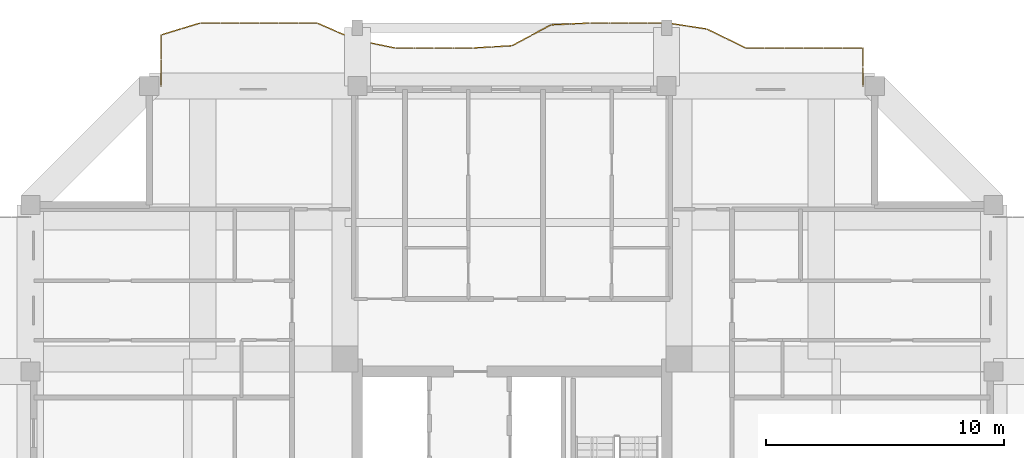
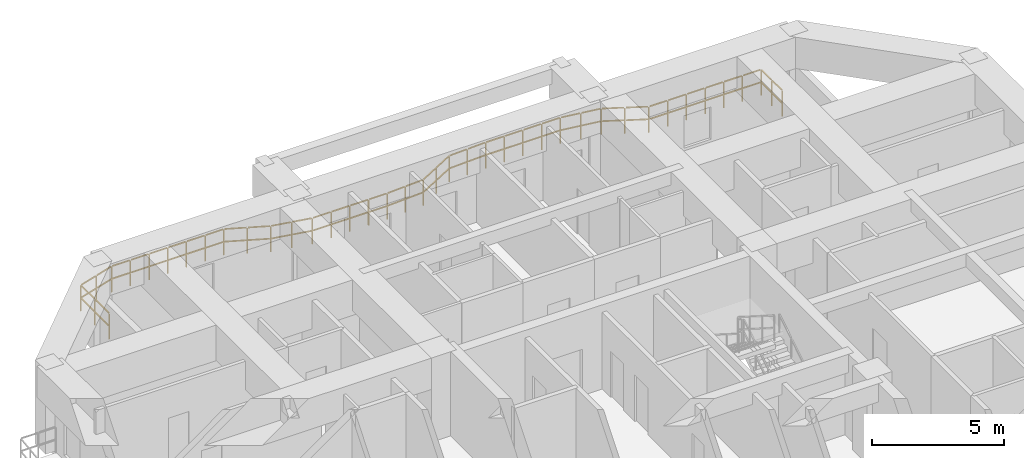
# One storey, part 13 of 13: 1 railing.
"""IFC4 building model written with IfcOpenShell, lengths in metres."""

from ifc_helpers import new_model, si_unit, direction, frame, origin, origin_2d, place, context, subcontext, project, spatial, rectangle, extrude, material, type_object, element, save


model = new_model("IFC4")

# Units and contexts
model_context = context("Model", 3, precision=1e-05, world=origin(), true_north=direction((0.0, 1.0)))
body_context = subcontext(model_context, "Body", "Model", "MODEL_VIEW")
ifc_project = project(units=[si_unit("LENGTHUNIT", "METRE"), si_unit("AREAUNIT", "SQUARE_METRE"), si_unit("VOLUMEUNIT", "CUBIC_METRE"), si_unit("PLANEANGLEUNIT", "RADIAN"), si_unit("MASSUNIT", "GRAM", prefix="KILO")], contexts=[model_context])

# Site, building, storey
site_placement = place(None, origin())
site = spatial("IfcSite", under=ifc_project, at=site_placement, CompositionType="ELEMENT")
building_placement = place(site_placement, origin())
building = spatial("IfcBuilding", under=site, at=building_placement, Name="Saelheon Loggia Tower", CompositionType="ELEMENT")
storey_placement = place(building_placement, frame((0.0, 0.0, 192.699951171875)))
storey = spatial("IfcBuildingStorey", under=building, at=storey_placement, Name="L60", CompositionType="ELEMENT", Elevation=192.699951171875)

# Railing
ifc_material = material(Name="Architectural Precast Concrete and Laminated Glass Guard", Category="concrete")
railing_type = type_object("IfcRailingType", Name="Guard_Loggia_RL_LOG", PredefinedType="BALUSTRADE", material=ifc_material)
railing_placement = place(storey_placement, frame((52.75, 48.0, 0.0)))
element("IfcRailing", 1, at=railing_placement, inside=storey, type_object=railing_type, Name="L60 North Loggia Balustrade", PredefinedType="BALUSTRADE", context=body_context, shape_type="SweptSolid", body=[
    extrude(rectangle(XDim=0.048095703125, YDim=0.048095703125, at=origin_2d()), frame((0.0, 0.033203125, 1.19580078125), z_axis=(0.0, 1.0, 0.0), x_axis=(-1.0, 0.0, 0.0)), (0.0, 0.0, 1.0), 0.733642578125),
    extrude(rectangle(XDim=0.048095703125, YDim=0.048095703125, at=origin_2d()), frame((0.0, 0.033203125, 0.60986328125), z_axis=(0.0, 1.0, 0.0), x_axis=(-1.0, 0.0, 0.0)), (0.0, 0.0, 1.0), 0.733642578125),
    extrude(rectangle(XDim=0.048095703125, YDim=0.048095703125, at=origin_2d()), frame((0.0, 0.833251953125, 1.19580078125), z_axis=(0.0, 1.0, 0.0), x_axis=(-1.0, 0.0, 0.0)), (0.0, 0.0, 1.0), 0.733642578125),
    extrude(rectangle(XDim=0.048095703125, YDim=0.048095703125, at=origin_2d()), frame((0.0, 0.833251953125, 0.60986328125), z_axis=(0.0, 1.0, 0.0), x_axis=(-1.0, 0.0, 0.0)), (0.0, 0.0, 1.0), 0.733642578125),
    extrude(rectangle(XDim=0.048095703125, YDim=0.048095703125, at=origin_2d()), frame((-0.033203125, 1.60009765625, 1.19580078125), z_axis=(-1.0, 0.0, 0.0), x_axis=(0.0, -1.0, 0.0)), (0.0, 0.0, 1.0), 0.7529296875),
    extrude(rectangle(XDim=0.048095703125, YDim=0.048095703125, at=origin_2d()), frame((-0.033203125, 1.60009765625, 0.60986328125), z_axis=(-1.0, 0.0, 0.0), x_axis=(0.0, -1.0, 0.0)), (0.0, 0.0, 1.0), 0.7529296875),
    extrude(rectangle(XDim=0.048095703125, YDim=0.048095703125, at=origin_2d()), frame((-0.852783203125, 1.60009765625, 1.19580078125), z_axis=(-1.0, 0.0, 0.0), x_axis=(0.0, -1.0, 0.0)), (0.0, 0.0, 1.0), 0.7529296875),
    extrude(rectangle(XDim=0.048095703125, YDim=0.048095703125, at=origin_2d()), frame((-0.852783203125, 1.60009765625, 0.60986328125), z_axis=(-1.0, 0.0, 0.0), x_axis=(0.0, -1.0, 0.0)), (0.0, 0.0, 1.0), 0.7529296875),
    extrude(rectangle(XDim=0.048095703125, YDim=0.048095703125, at=origin_2d()), frame((-1.672119140625, 1.60009765625, 1.19580078125), z_axis=(-1.0, 0.0, 0.0), x_axis=(0.0, -1.0, 0.0)), (0.0, 0.0, 1.0), 0.7529296875),
    extrude(rectangle(XDim=0.048095703125, YDim=0.048095703125, at=origin_2d()), frame((-1.672119140625, 1.60009765625, 0.60986328125), z_axis=(-1.0, 0.0, 0.0), x_axis=(0.0, -1.0, 0.0)), (0.0, 0.0, 1.0), 0.7529296875),
    extrude(rectangle(XDim=0.048095703125, YDim=0.048095703125, at=origin_2d()), frame((-2.49169921875, 1.60009765625, 1.19580078125), z_axis=(-1.0, 0.0, 0.0), x_axis=(0.0, -1.0, 0.0)), (0.0, 0.0, 1.0), 0.7529296875),
    extrude(rectangle(XDim=0.048095703125, YDim=0.048095703125, at=origin_2d()), frame((-2.49169921875, 1.60009765625, 0.60986328125), z_axis=(-1.0, 0.0, 0.0), x_axis=(0.0, -1.0, 0.0)), (0.0, 0.0, 1.0), 0.7529296875),
    extrude(rectangle(XDim=0.048095703125, YDim=0.048095703125, at=origin_2d()), frame((-3.31103515625, 1.60009765625, 1.19580078125), z_axis=(-1.0, 0.0, 0.0), x_axis=(0.0, -1.0, 0.0)), (0.0, 0.0, 1.0), 0.7529296875),
    extrude(rectangle(XDim=0.048095703125, YDim=0.048095703125, at=origin_2d()), frame((-3.31103515625, 1.60009765625, 0.60986328125), z_axis=(-1.0, 0.0, 0.0), x_axis=(0.0, -1.0, 0.0)), (0.0, 0.0, 1.0), 0.7529296875),
    extrude(rectangle(XDim=0.048095703125, YDim=0.048095703125, at=origin_2d()), frame((-4.130615234375, 1.60009765625, 1.19580078125), z_axis=(-1.0, 0.0, 0.0), x_axis=(0.0, -1.0, 0.0)), (0.0, 0.0, 1.0), 0.7529296875),
    extrude(rectangle(XDim=0.048095703125, YDim=0.048095703125, at=origin_2d()), frame((-4.130615234375, 1.60009765625, 0.60986328125), z_axis=(-1.0, 0.0, 0.0), x_axis=(0.0, -1.0, 0.0)), (0.0, 0.0, 1.0), 0.7529296875),
    extrude(rectangle(XDim=0.048095703125, YDim=0.048095703125, at=origin_2d()), frame((-4.946533203125, 1.614501953125, 1.19580078125), z_axis=(-0.899487094087, 0.436947328142, 0.0), x_axis=(-0.436947328142, -0.899487094087, 0.0)), (0.0, 0.0, 1.0), 0.844482421875),
    extrude(rectangle(XDim=0.048095703125, YDim=0.048095703125, at=origin_2d()), frame((-4.946533203125, 1.614501953125, 0.60986328125), z_axis=(-0.899487094087, 0.436947328142, 0.0), x_axis=(-0.436947328142, -0.899487094087, 0.0)), (0.0, 0.0, 1.0), 0.844482421875),
    extrude(rectangle(XDim=0.048095703125, YDim=0.048095703125, at=origin_2d()), frame((-5.76611328125, 2.0126953125, 1.19580078125), z_axis=(-0.899487094087, 0.436947328142, 0.0), x_axis=(-0.436947328142, -0.899487094087, 0.0)), (0.0, 0.0, 1.0), 0.844482421875),
    extrude(rectangle(XDim=0.048095703125, YDim=0.048095703125, at=origin_2d()), frame((-5.76611328125, 2.0126953125, 0.60986328125), z_axis=(-0.899487094087, 0.436947328142, 0.0), x_axis=(-0.436947328142, -0.899487094087, 0.0)), (0.0, 0.0, 1.0), 0.844482421875),
    extrude(rectangle(XDim=0.048095703125, YDim=0.048095703125, at=origin_2d()), frame((-6.588623046875, 2.4013671875, 1.19580078125), z_axis=(-0.988229995163, 0.152975411945, 0.0), x_axis=(-0.152975411945, -0.988229995163, 0.0)), (0.0, 0.0, 1.0), 0.7626953125),
    extrude(rectangle(XDim=0.048095703125, YDim=0.048095703125, at=origin_2d()), frame((-6.588623046875, 2.4013671875, 0.60986328125), z_axis=(-0.988229995163, 0.152975411945, 0.0), x_axis=(-0.152975411945, -0.988229995163, 0.0)), (0.0, 0.0, 1.0), 0.7626953125),
    extrude(rectangle(XDim=0.048095703125, YDim=0.048095703125, at=origin_2d()), frame((-7.407958984375, 2.528076171875, 1.19580078125), z_axis=(-0.988229995163, 0.152975411945, 0.0), x_axis=(-0.152975411945, -0.988229995163, 0.0)), (0.0, 0.0, 1.0), 0.7626953125),
    extrude(rectangle(XDim=0.048095703125, YDim=0.048095703125, at=origin_2d()), frame((-7.407958984375, 2.528076171875, 0.60986328125), z_axis=(-0.988229995163, 0.152975411945, 0.0), x_axis=(-0.152975411945, -0.988229995163, 0.0)), (0.0, 0.0, 1.0), 0.7626953125),
    extrude(rectangle(XDim=0.048095703125, YDim=0.048095703125, at=origin_2d()), frame((-8.2275390625, 2.64990234375, 1.19580078125), z_axis=(-1.0, 0.0, 0.0), x_axis=(0.0, -1.0, 0.0)), (0.0, 0.0, 1.0), 0.7529296875),
    extrude(rectangle(XDim=0.048095703125, YDim=0.048095703125, at=origin_2d()), frame((-8.2275390625, 2.64990234375, 0.60986328125), z_axis=(-1.0, 0.0, 0.0), x_axis=(0.0, -1.0, 0.0)), (0.0, 0.0, 1.0), 0.7529296875),
    extrude(rectangle(XDim=0.048095703125, YDim=0.048095703125, at=origin_2d()), frame((-9.047119140625, 2.64990234375, 1.19580078125), z_axis=(-1.0, 0.0, 0.0), x_axis=(0.0, -1.0, 0.0)), (0.0, 0.0, 1.0), 0.7529296875),
    extrude(rectangle(XDim=0.048095703125, YDim=0.048095703125, at=origin_2d()), frame((-9.047119140625, 2.64990234375, 0.60986328125), z_axis=(-1.0, 0.0, 0.0), x_axis=(0.0, -1.0, 0.0)), (0.0, 0.0, 1.0), 0.7529296875),
    extrude(rectangle(XDim=0.048095703125, YDim=0.048095703125, at=origin_2d()), frame((-9.866455078125, 2.64990234375, 1.19580078125), z_axis=(-1.0, 0.0, 0.0), x_axis=(0.0, -1.0, 0.0)), (0.0, 0.0, 1.0), 0.7529296875),
    extrude(rectangle(XDim=0.048095703125, YDim=0.048095703125, at=origin_2d()), frame((-9.866455078125, 2.64990234375, 0.60986328125), z_axis=(-1.0, 0.0, 0.0), x_axis=(0.0, -1.0, 0.0)), (0.0, 0.0, 1.0), 0.7529296875),
    extrude(rectangle(XDim=0.048095703125, YDim=0.048095703125, at=origin_2d()), frame((-10.68603515625, 2.64990234375, 1.19580078125), z_axis=(-1.0, 0.0, 0.0), x_axis=(0.0, -1.0, 0.0)), (0.0, 0.0, 1.0), 0.7529296875),
    extrude(rectangle(XDim=0.048095703125, YDim=0.048095703125, at=origin_2d()), frame((-10.68603515625, 2.64990234375, 0.60986328125), z_axis=(-1.0, 0.0, 0.0), x_axis=(0.0, -1.0, 0.0)), (0.0, 0.0, 1.0), 0.7529296875),
    extrude(rectangle(XDim=0.048095703125, YDim=0.048095703125, at=origin_2d()), frame((-11.50537109375, 2.6484375, 1.19580078125), z_axis=(-0.998865780005, -0.047614635722, 0.0), x_axis=(0.047614635722, -0.998865780005, 0.0)), (0.0, 0.0, 1.0), 0.75390625),
    extrude(rectangle(XDim=0.048095703125, YDim=0.048095703125, at=origin_2d()), frame((-11.50537109375, 2.6484375, 0.60986328125), z_axis=(-0.998865780005, -0.047614635722, 0.0), x_axis=(0.047614635722, -0.998865780005, 0.0)), (0.0, 0.0, 1.0), 0.75390625),
    extrude(rectangle(XDim=0.048095703125, YDim=0.048095703125, at=origin_2d()), frame((-12.32470703125, 2.609375, 1.19580078125), z_axis=(-0.998865780005, -0.047614635722, 0.0), x_axis=(0.047614635722, -0.998865780005, 0.0)), (0.0, 0.0, 1.0), 0.75390625),
    extrude(rectangle(XDim=0.048095703125, YDim=0.048095703125, at=origin_2d()), frame((-12.32470703125, 2.609375, 0.60986328125), z_axis=(-0.998865780005, -0.047614635722, 0.0), x_axis=(0.047614635722, -0.998865780005, 0.0)), (0.0, 0.0, 1.0), 0.75390625),
    extrude(rectangle(XDim=0.048095703125, YDim=0.048095703125, at=origin_2d()), frame((-13.140380859375, 2.55615234375, 1.19580078125), z_axis=(-0.882149151699, -0.47097014147, 0.0), x_axis=(0.47097014147, -0.882149151699, 0.0)), (0.0, 0.0, 1.0), 0.862548828125),
    extrude(rectangle(XDim=0.048095703125, YDim=0.048095703125, at=origin_2d()), frame((-13.140380859375, 2.55615234375, 0.60986328125), z_axis=(-0.882149151699, -0.47097014147, 0.0), x_axis=(0.47097014147, -0.882149151699, 0.0)), (0.0, 0.0, 1.0), 0.862548828125),
    extrude(rectangle(XDim=0.048095703125, YDim=0.048095703125, at=origin_2d()), frame((-13.9599609375, 2.11865234375, 1.19580078125), z_axis=(-0.882149151699, -0.47097014147, 0.0), x_axis=(0.47097014147, -0.882149151699, 0.0)), (0.0, 0.0, 1.0), 0.862548828125),
    extrude(rectangle(XDim=0.048095703125, YDim=0.048095703125, at=origin_2d()), frame((-13.9599609375, 2.11865234375, 0.60986328125), z_axis=(-0.882149151699, -0.47097014147, 0.0), x_axis=(0.47097014147, -0.882149151699, 0.0)), (0.0, 0.0, 1.0), 0.862548828125),
    extrude(rectangle(XDim=0.048095703125, YDim=0.048095703125, at=origin_2d()), frame((-14.783203125, 1.69482421875, 1.19580078125), z_axis=(-0.998264616616, -0.058887649066, 0.0), x_axis=(0.058887649066, -0.998264616616, 0.0)), (0.0, 0.0, 1.0), 0.75439453125),
    extrude(rectangle(XDim=0.048095703125, YDim=0.048095703125, at=origin_2d()), frame((-14.783203125, 1.69482421875, 0.60986328125), z_axis=(-0.998264616616, -0.058887649066, 0.0), x_axis=(0.058887649066, -0.998264616616, 0.0)), (0.0, 0.0, 1.0), 0.75439453125),
    extrude(rectangle(XDim=0.048095703125, YDim=0.048095703125, at=origin_2d()), frame((-15.6025390625, 1.646484375, 1.19580078125), z_axis=(-0.998264616616, -0.058887649066, 0.0), x_axis=(0.058887649066, -0.998264616616, 0.0)), (0.0, 0.0, 1.0), 0.75439453125),
    extrude(rectangle(XDim=0.048095703125, YDim=0.048095703125, at=origin_2d()), frame((-15.6025390625, 1.646484375, 0.60986328125), z_axis=(-0.998264616616, -0.058887649066, 0.0), x_axis=(0.058887649066, -0.998264616616, 0.0)), (0.0, 0.0, 1.0), 0.75439453125),
    extrude(rectangle(XDim=0.048095703125, YDim=0.048095703125, at=origin_2d()), frame((-16.422119140625, 1.60009765625, 1.19580078125), z_axis=(-1.0, 0.0, 0.0), x_axis=(0.0, -1.0, 0.0)), (0.0, 0.0, 1.0), 0.7529296875),
    extrude(rectangle(XDim=0.048095703125, YDim=0.048095703125, at=origin_2d()), frame((-16.422119140625, 1.60009765625, 0.60986328125), z_axis=(-1.0, 0.0, 0.0), x_axis=(0.0, -1.0, 0.0)), (0.0, 0.0, 1.0), 0.7529296875),
    extrude(rectangle(XDim=0.048095703125, YDim=0.048095703125, at=origin_2d()), frame((-17.24169921875, 1.60009765625, 1.19580078125), z_axis=(-1.0, 0.0, 0.0), x_axis=(0.0, -1.0, 0.0)), (0.0, 0.0, 1.0), 0.7529296875),
    extrude(rectangle(XDim=0.048095703125, YDim=0.048095703125, at=origin_2d()), frame((-17.24169921875, 1.60009765625, 0.60986328125), z_axis=(-1.0, 0.0, 0.0), x_axis=(0.0, -1.0, 0.0)), (0.0, 0.0, 1.0), 0.7529296875),
    extrude(rectangle(XDim=0.048095703125, YDim=0.048095703125, at=origin_2d()), frame((-18.06103515625, 1.60009765625, 1.19580078125), z_axis=(-1.0, 0.0, 0.0), x_axis=(0.0, -1.0, 0.0)), (0.0, 0.0, 1.0), 0.7529296875),
    extrude(rectangle(XDim=0.048095703125, YDim=0.048095703125, at=origin_2d()), frame((-18.06103515625, 1.60009765625, 0.60986328125), z_axis=(-1.0, 0.0, 0.0), x_axis=(0.0, -1.0, 0.0)), (0.0, 0.0, 1.0), 0.7529296875),
    extrude(rectangle(XDim=0.048095703125, YDim=0.048095703125, at=origin_2d()), frame((-18.880615234375, 1.60009765625, 1.19580078125), z_axis=(-1.0, 0.0, 0.0), x_axis=(0.0, -1.0, 0.0)), (0.0, 0.0, 1.0), 0.7529296875),
    extrude(rectangle(XDim=0.048095703125, YDim=0.048095703125, at=origin_2d()), frame((-18.880615234375, 1.60009765625, 0.60986328125), z_axis=(-1.0, 0.0, 0.0), x_axis=(0.0, -1.0, 0.0)), (0.0, 0.0, 1.0), 0.7529296875),
    extrude(rectangle(XDim=0.048095703125, YDim=0.048095703125, at=origin_2d()), frame((-19.69921875, 1.606689453125, 1.19580078125), z_axis=(-0.979603437172, 0.200940553104, 0.0), x_axis=(-0.200940553104, -0.979603437172, 0.0)), (0.0, 0.0, 1.0), 0.77001953125),
    extrude(rectangle(XDim=0.048095703125, YDim=0.048095703125, at=origin_2d()), frame((-19.69921875, 1.606689453125, 0.60986328125), z_axis=(-0.979603437172, 0.200940553104, 0.0), x_axis=(-0.200940553104, -0.979603437172, 0.0)), (0.0, 0.0, 1.0), 0.77001953125),
    extrude(rectangle(XDim=0.048095703125, YDim=0.048095703125, at=origin_2d()), frame((-20.518798828125, 1.77490234375, 1.19580078125), z_axis=(-0.979603437172, 0.200940553104, 0.0), x_axis=(-0.200940553104, -0.979603437172, 0.0)), (0.0, 0.0, 1.0), 0.77001953125),
    extrude(rectangle(XDim=0.048095703125, YDim=0.048095703125, at=origin_2d()), frame((-20.518798828125, 1.77490234375, 0.60986328125), z_axis=(-0.979603437172, 0.200940553104, 0.0), x_axis=(-0.200940553104, -0.979603437172, 0.0)), (0.0, 0.0, 1.0), 0.77001953125),
    extrude(rectangle(XDim=0.048095703125, YDim=0.048095703125, at=origin_2d()), frame((-21.336181640625, 1.949462890625, 1.19580078125), z_axis=(-0.916833185944, 0.399270471173, 0.0), x_axis=(-0.399270471173, -0.916833185944, 0.0)), (0.0, 0.0, 1.0), 0.8271484375),
    extrude(rectangle(XDim=0.048095703125, YDim=0.048095703125, at=origin_2d()), frame((-21.336181640625, 1.949462890625, 0.60986328125), z_axis=(-0.916833185944, 0.399270471173, 0.0), x_axis=(-0.399270471173, -0.916833185944, 0.0)), (0.0, 0.0, 1.0), 0.8271484375),
    extrude(rectangle(XDim=0.048095703125, YDim=0.048095703125, at=origin_2d()), frame((-22.155517578125, 2.306396484375, 1.19580078125), z_axis=(-0.916833185944, 0.399270471173, 0.0), x_axis=(-0.399270471173, -0.916833185944, 0.0)), (0.0, 0.0, 1.0), 0.8271484375),
    extrude(rectangle(XDim=0.048095703125, YDim=0.048095703125, at=origin_2d()), frame((-22.155517578125, 2.306396484375, 0.60986328125), z_axis=(-0.916833185944, 0.399270471173, 0.0), x_axis=(-0.399270471173, -0.916833185944, 0.0)), (0.0, 0.0, 1.0), 0.8271484375),
    extrude(rectangle(XDim=0.048095703125, YDim=0.048095703125, at=origin_2d()), frame((-22.9775390625, 2.64990234375, 1.19580078125), z_axis=(-1.0, 0.0, 0.0), x_axis=(0.0, -1.0, 0.0)), (0.0, 0.0, 1.0), 0.7529296875),
    extrude(rectangle(XDim=0.048095703125, YDim=0.048095703125, at=origin_2d()), frame((-22.9775390625, 2.64990234375, 0.60986328125), z_axis=(-1.0, 0.0, 0.0), x_axis=(0.0, -1.0, 0.0)), (0.0, 0.0, 1.0), 0.7529296875),
    extrude(rectangle(XDim=0.048095703125, YDim=0.048095703125, at=origin_2d()), frame((-23.797119140625, 2.64990234375, 1.19580078125), z_axis=(-1.0, 0.0, 0.0), x_axis=(0.0, -1.0, 0.0)), (0.0, 0.0, 1.0), 0.7529296875),
    extrude(rectangle(XDim=0.048095703125, YDim=0.048095703125, at=origin_2d()), frame((-23.797119140625, 2.64990234375, 0.60986328125), z_axis=(-1.0, 0.0, 0.0), x_axis=(0.0, -1.0, 0.0)), (0.0, 0.0, 1.0), 0.7529296875),
    extrude(rectangle(XDim=0.048095703125, YDim=0.048095703125, at=origin_2d()), frame((-24.616455078125, 2.64990234375, 1.19580078125), z_axis=(-1.0, 0.0, 0.0), x_axis=(0.0, -1.0, 0.0)), (0.0, 0.0, 1.0), 0.7529296875),
    extrude(rectangle(XDim=0.048095703125, YDim=0.048095703125, at=origin_2d()), frame((-24.616455078125, 2.64990234375, 0.60986328125), z_axis=(-1.0, 0.0, 0.0), x_axis=(0.0, -1.0, 0.0)), (0.0, 0.0, 1.0), 0.7529296875),
    extrude(rectangle(XDim=0.048095703125, YDim=0.048095703125, at=origin_2d()), frame((-25.43603515625, 2.64990234375, 1.19580078125), z_axis=(-1.0, 0.0, 0.0), x_axis=(0.0, -1.0, 0.0)), (0.0, 0.0, 1.0), 0.7529296875),
    extrude(rectangle(XDim=0.048095703125, YDim=0.048095703125, at=origin_2d()), frame((-25.43603515625, 2.64990234375, 0.60986328125), z_axis=(-1.0, 0.0, 0.0), x_axis=(0.0, -1.0, 0.0)), (0.0, 0.0, 1.0), 0.7529296875),
    extrude(rectangle(XDim=0.048095703125, YDim=0.048095703125, at=origin_2d()), frame((-26.25537109375, 2.64990234375, 1.19580078125), z_axis=(-1.0, 0.0, 0.0), x_axis=(0.0, -1.0, 0.0)), (0.0, 0.0, 1.0), 0.7529296875),
    extrude(rectangle(XDim=0.048095703125, YDim=0.048095703125, at=origin_2d()), frame((-26.25537109375, 2.64990234375, 0.60986328125), z_axis=(-1.0, 0.0, 0.0), x_axis=(0.0, -1.0, 0.0)), (0.0, 0.0, 1.0), 0.7529296875),
    extrude(rectangle(XDim=0.048095703125, YDim=0.048095703125, at=origin_2d()), frame((-27.074951171875, 2.64990234375, 1.19580078125), z_axis=(-1.0, 0.0, 0.0), x_axis=(0.0, -1.0, 0.0)), (0.0, 0.0, 1.0), 0.7529296875),
    extrude(rectangle(XDim=0.048095703125, YDim=0.048095703125, at=origin_2d()), frame((-27.074951171875, 2.64990234375, 0.60986328125), z_axis=(-1.0, 0.0, 0.0), x_axis=(0.0, -1.0, 0.0)), (0.0, 0.0, 1.0), 0.7529296875),
    extrude(rectangle(XDim=0.048095703125, YDim=0.048095703125, at=origin_2d()), frame((-27.892822265625, 2.64013671875, 1.19580078125), z_axis=(-0.956478678169, -0.291802224473, 0.0), x_axis=(0.291802224473, -0.956478678169, 0.0)), (0.0, 0.0, 1.0), 0.790283203125),
    extrude(rectangle(XDim=0.048095703125, YDim=0.048095703125, at=origin_2d()), frame((-27.892822265625, 2.64013671875, 0.60986328125), z_axis=(-0.956478678169, -0.291802224473, 0.0), x_axis=(0.291802224473, -0.956478678169, 0.0)), (0.0, 0.0, 1.0), 0.790283203125),
    extrude(rectangle(XDim=0.048095703125, YDim=0.048095703125, at=origin_2d()), frame((-28.71240234375, 2.39013671875, 1.19580078125), z_axis=(-0.956478678169, -0.291802224473, 0.0), x_axis=(0.291802224473, -0.956478678169, 0.0)), (0.0, 0.0, 1.0), 0.790283203125),
    extrude(rectangle(XDim=0.048095703125, YDim=0.048095703125, at=origin_2d()), frame((-28.71240234375, 2.39013671875, 0.60986328125), z_axis=(-0.956478678169, -0.291802224473, 0.0), x_axis=(0.291802224473, -0.956478678169, 0.0)), (0.0, 0.0, 1.0), 0.790283203125),
    extrude(rectangle(XDim=0.048095703125, YDim=0.048095703125, at=origin_2d()), frame((-29.5, 2.11669921875, 1.19580078125), z_axis=(0.0, -1.0, 0.0), x_axis=(1.0, 0.0, 0.0)), (0.0, 0.0, 1.0), 1.008544921875),
    extrude(rectangle(XDim=0.048095703125, YDim=0.048095703125, at=origin_2d()), frame((-29.5, 2.11669921875, 0.60986328125), z_axis=(0.0, -1.0, 0.0), x_axis=(1.0, 0.0, 0.0)), (0.0, 0.0, 1.0), 1.008544921875),
    extrude(rectangle(XDim=0.048095703125, YDim=0.048095703125, at=origin_2d()), frame((-29.5, 1.041748046875, 1.19580078125), z_axis=(0.0, -1.0, 0.0), x_axis=(1.0, 0.0, 0.0)), (0.0, 0.0, 1.0), 1.008544921875),
    extrude(rectangle(XDim=0.048095703125, YDim=0.048095703125, at=origin_2d()), frame((-29.5, 1.041748046875, 0.60986328125), z_axis=(0.0, -1.0, 0.0), x_axis=(1.0, 0.0, 0.0)), (0.0, 0.0, 1.0), 1.008544921875),
    extrude(rectangle(XDim=0.0419921875, YDim=0.0419921875, at=origin_2d()), origin(), (0.0, 0.0, 1.0), 1.16796875),
    extrude(rectangle(XDim=0.0419921875, YDim=0.0419921875, at=origin_2d()), frame((0.0, 0.800048828125, 0.0)), (0.0, 0.0, 1.0), 1.16796875),
    extrude(rectangle(XDim=0.0419921875, YDim=0.0419921875, at=origin_2d()), frame((0.0, 1.60009765625, 0.0)), (0.0, 0.0, 1.0), 1.16796875),
    extrude(rectangle(XDim=0.0419921875, YDim=0.0419921875, at=origin_2d()), frame((-0.8193359375, 1.60009765625, 0.0)), (0.0, 0.0, 1.0), 1.16796875),
    extrude(rectangle(XDim=0.0419921875, YDim=0.0419921875, at=origin_2d()), frame((-1.638916015625, 1.60009765625, 0.0)), (0.0, 0.0, 1.0), 1.16796875),
    extrude(rectangle(XDim=0.0419921875, YDim=0.0419921875, at=origin_2d()), frame((-2.45849609375, 1.60009765625, 0.0)), (0.0, 0.0, 1.0), 1.16796875),
    extrude(rectangle(XDim=0.0419921875, YDim=0.0419921875, at=origin_2d()), frame((-3.27783203125, 1.60009765625, 0.0)), (0.0, 0.0, 1.0), 1.16796875),
    extrude(rectangle(XDim=0.0419921875, YDim=0.0419921875, at=origin_2d()), frame((-4.09716796875, 1.60009765625, 0.0)), (0.0, 0.0, 1.0), 1.16796875),
    extrude(rectangle(XDim=0.0419921875, YDim=0.0419921875, at=origin_2d()), frame((-4.916748046875, 1.60009765625, 0.0)), (0.0, 0.0, 1.0), 1.16796875),
    extrude(rectangle(XDim=0.0419921875, YDim=0.0419921875, at=origin_2d()), frame((-5.736328125, 1.998046875, 0.0)), (0.0, 0.0, 1.0), 1.16796875),
    extrude(rectangle(XDim=0.0419921875, YDim=0.0419921875, at=origin_2d()), frame((-6.5556640625, 2.396240234375, 0.0)), (0.0, 0.0, 1.0), 1.16796875),
    extrude(rectangle(XDim=0.0419921875, YDim=0.0419921875, at=origin_2d()), frame((-7.375, 2.52294921875, 0.0)), (0.0, 0.0, 1.0), 1.16796875),
    extrude(rectangle(XDim=0.0419921875, YDim=0.0419921875, at=origin_2d()), frame((-8.1943359375, 2.64990234375, 0.0)), (0.0, 0.0, 1.0), 1.16796875),
    extrude(rectangle(XDim=0.0419921875, YDim=0.0419921875, at=origin_2d()), frame((-9.013671875, 2.64990234375, 0.0)), (0.0, 0.0, 1.0), 1.16796875),
    extrude(rectangle(XDim=0.0419921875, YDim=0.0419921875, at=origin_2d()), frame((-9.833251953125, 2.64990234375, 0.0)), (0.0, 0.0, 1.0), 1.16796875),
    extrude(rectangle(XDim=0.0419921875, YDim=0.0419921875, at=origin_2d()), frame((-10.65283203125, 2.64990234375, 0.0)), (0.0, 0.0, 1.0), 1.16796875),
    extrude(rectangle(XDim=0.0419921875, YDim=0.0419921875, at=origin_2d()), frame((-11.47216796875, 2.64990234375, 0.0)), (0.0, 0.0, 1.0), 1.16796875),
    extrude(rectangle(XDim=0.0419921875, YDim=0.0419921875, at=origin_2d()), frame((-12.29150390625, 2.61083984375, 0.0)), (0.0, 0.0, 1.0), 1.16796875),
    extrude(rectangle(XDim=0.0419921875, YDim=0.0419921875, at=origin_2d()), frame((-13.111083984375, 2.57177734375, 0.0)), (0.0, 0.0, 1.0), 1.16796875),
    extrude(rectangle(XDim=0.0419921875, YDim=0.0419921875, at=origin_2d()), frame((-13.9306640625, 2.13427734375, 0.0)), (0.0, 0.0, 1.0), 1.16796875),
    extrude(rectangle(XDim=0.0419921875, YDim=0.0419921875, at=origin_2d()), frame((-14.75, 1.69677734375, 0.0)), (0.0, 0.0, 1.0), 1.16796875),
    extrude(rectangle(XDim=0.0419921875, YDim=0.0419921875, at=origin_2d()), frame((-15.5693359375, 1.6484375, 0.0)), (0.0, 0.0, 1.0), 1.16796875),
    extrude(rectangle(XDim=0.0419921875, YDim=0.0419921875, at=origin_2d()), frame((-16.388916015625, 1.60009765625, 0.0)), (0.0, 0.0, 1.0), 1.16796875),
    extrude(rectangle(XDim=0.0419921875, YDim=0.0419921875, at=origin_2d()), frame((-17.20849609375, 1.60009765625, 0.0)), (0.0, 0.0, 1.0), 1.16796875),
    extrude(rectangle(XDim=0.0419921875, YDim=0.0419921875, at=origin_2d()), frame((-18.02783203125, 1.60009765625, 0.0)), (0.0, 0.0, 1.0), 1.16796875),
    extrude(rectangle(XDim=0.0419921875, YDim=0.0419921875, at=origin_2d()), frame((-18.84716796875, 1.60009765625, 0.0)), (0.0, 0.0, 1.0), 1.16796875),
    extrude(rectangle(XDim=0.0419921875, YDim=0.0419921875, at=origin_2d()), frame((-19.666748046875, 1.60009765625, 0.0)), (0.0, 0.0, 1.0), 1.16796875),
    extrude(rectangle(XDim=0.0419921875, YDim=0.0419921875, at=origin_2d()), frame((-20.486328125, 1.76806640625, 0.0)), (0.0, 0.0, 1.0), 1.16796875),
    extrude(rectangle(XDim=0.0419921875, YDim=0.0419921875, at=origin_2d()), frame((-21.3056640625, 1.936279296875, 0.0)), (0.0, 0.0, 1.0), 1.16796875),
    extrude(rectangle(XDim=0.0419921875, YDim=0.0419921875, at=origin_2d()), frame((-22.125, 2.29296875, 0.0)), (0.0, 0.0, 1.0), 1.16796875),
    extrude(rectangle(XDim=0.0419921875, YDim=0.0419921875, at=origin_2d()), frame((-22.9443359375, 2.64990234375, 0.0)), (0.0, 0.0, 1.0), 1.16796875),
    extrude(rectangle(XDim=0.0419921875, YDim=0.0419921875, at=origin_2d()), frame((-23.763671875, 2.64990234375, 0.0)), (0.0, 0.0, 1.0), 1.16796875),
    extrude(rectangle(XDim=0.0419921875, YDim=0.0419921875, at=origin_2d()), frame((-24.583251953125, 2.64990234375, 0.0)), (0.0, 0.0, 1.0), 1.16796875),
    extrude(rectangle(XDim=0.0419921875, YDim=0.0419921875, at=origin_2d()), frame((-25.40283203125, 2.64990234375, 0.0)), (0.0, 0.0, 1.0), 1.16796875),
    extrude(rectangle(XDim=0.0419921875, YDim=0.0419921875, at=origin_2d()), frame((-26.22216796875, 2.64990234375, 0.0)), (0.0, 0.0, 1.0), 1.16796875),
    extrude(rectangle(XDim=0.0419921875, YDim=0.0419921875, at=origin_2d()), frame((-27.04150390625, 2.64990234375, 0.0)), (0.0, 0.0, 1.0), 1.16796875),
    extrude(rectangle(XDim=0.0419921875, YDim=0.0419921875, at=origin_2d()), frame((-27.861083984375, 2.64990234375, 0.0)), (0.0, 0.0, 1.0), 1.16796875),
    extrude(rectangle(XDim=0.0419921875, YDim=0.0419921875, at=origin_2d()), frame((-28.6806640625, 2.39990234375, 0.0)), (0.0, 0.0, 1.0), 1.16796875),
    extrude(rectangle(XDim=0.0419921875, YDim=0.0419921875, at=origin_2d()), frame((-29.5, 2.14990234375, 0.0)), (0.0, 0.0, 1.0), 1.16796875),
    extrude(rectangle(XDim=0.0419921875, YDim=0.0419921875, at=origin_2d()), frame((-29.5, 1.074951171875, 0.0)), (0.0, 0.0, 1.0), 1.16796875),
    extrude(rectangle(XDim=0.0419921875, YDim=0.0419921875, at=origin_2d()), frame((-29.5, 0.0, 0.0)), (0.0, 0.0, 1.0), 1.16796875),
])

save(model, "model.ifc")
